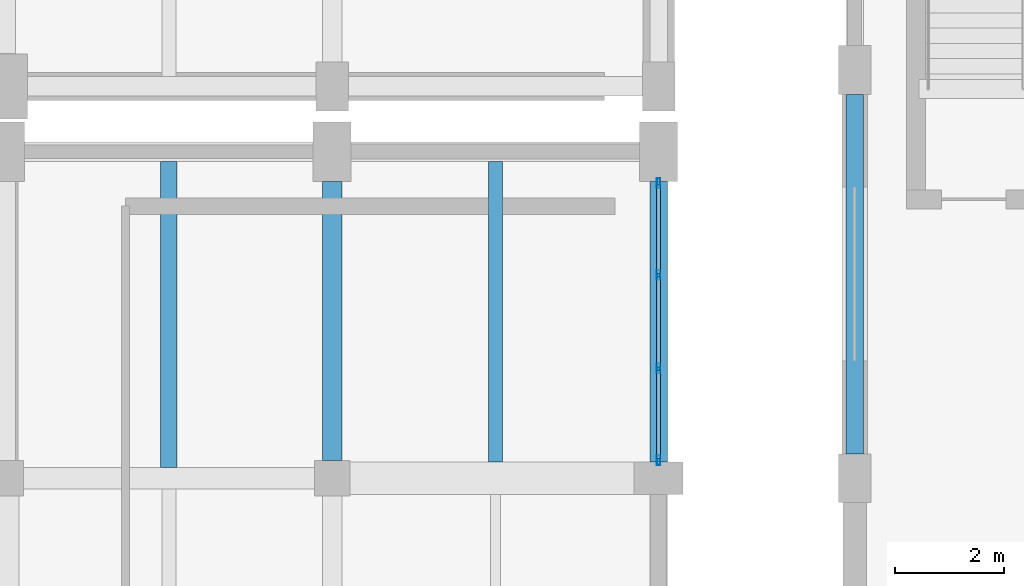
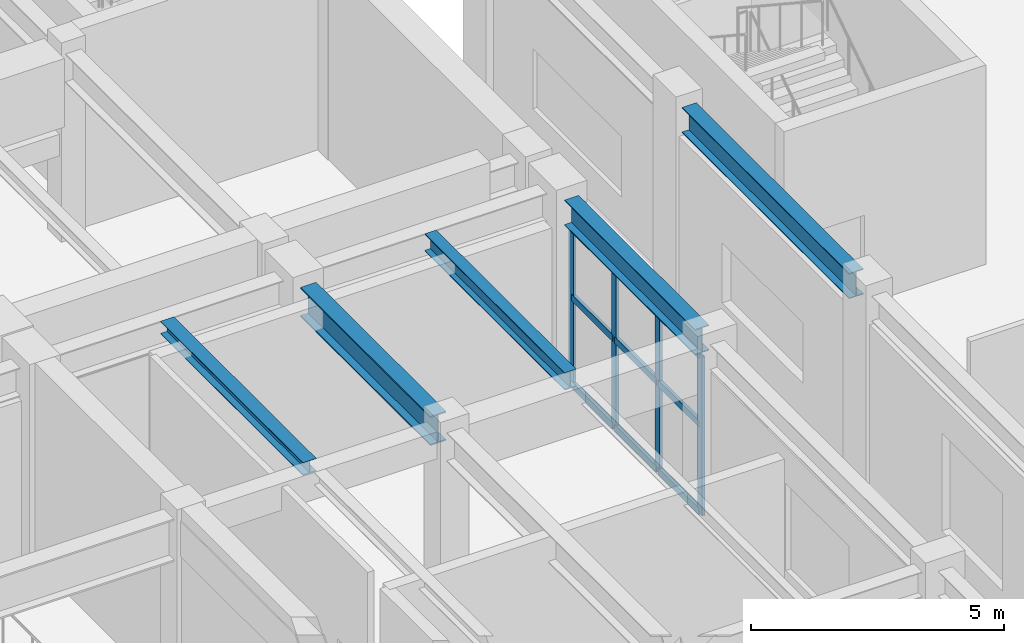
# One storey, part 42 of 80: 13 members, 5 beams, 1 element without a shape of its own.
"""IFC4 building model written with IfcOpenShell, lengths in metres."""

from ifc_helpers import new_model, si_unit, direction, frame, origin, origin_2d, place, context, subcontext, project, spatial, hollow_rectangle, i_section, extrude, material, layer, layer_set, material_profile, profile_set, type_object, element, aggregate, save


model = new_model("IFC4")

# Units and contexts
model_context = context("Model", 3, precision=1e-05, world=origin(), true_north=direction((0.0, 1.0)))
body_context = subcontext(model_context, "Body", "Model", "MODEL_VIEW")
ifc_project = project(units=[si_unit("LENGTHUNIT", "METRE"), si_unit("AREAUNIT", "SQUARE_METRE"), si_unit("VOLUMEUNIT", "CUBIC_METRE"), si_unit("PLANEANGLEUNIT", "RADIAN"), si_unit("MASSUNIT", "GRAM", prefix="KILO")], contexts=[model_context])

# Site, building, storey
site_placement = place(None, origin())
site = spatial("IfcSite", under=ifc_project, at=site_placement, CompositionType="ELEMENT")
building_placement = place(site_placement, origin())
building = spatial("IfcBuilding", under=site, at=building_placement, Name="Vaelkrest Opera House", CompositionType="ELEMENT")
storey_placement = place(building_placement, frame((0.0, 0.0, 15.0)))
storey = spatial("IfcBuildingStorey", under=building, at=storey_placement, Name="L03", CompositionType="ELEMENT", Elevation=15.0)

# Beam
ifc_material_1 = material(Name="Steel A992 Gr50", Category="steel")
ifc_material_profile_1 = material_profile(ifc_material_1, i_section(OverallWidth=0.35791015625, OverallDepth=0.7060546875, WebThickness=0.018310546875, FlangeThickness=0.0302734375, at=origin_2d()), Name="W27X178")
ifc_profile_set_1 = profile_set([ifc_material_profile_1], Name="Steel A992 Gr50")
beam_type_1 = type_object("IfcBeamType", Name="B14", PredefinedType="BEAM", material=ifc_profile_set_1)
beam_1_placement = place(storey_placement, frame((24.0, 10.52490234375, 4.152099609375), z_axis=(0.0, 1.0, 0.0), x_axis=(-1.0, 0.0, 0.0)))
element("IfcBeam", 1, at=beam_1_placement, inside=storey, type_object=beam_type_1, Name="Beam BM-V1-L03-0506", PredefinedType="BEAM", context=body_context, shape_type="SweptSolid", body=[
    extrude(i_section(OverallWidth=0.35791015625, OverallDepth=0.7060546875, WebThickness=0.018310546875, FlangeThickness=0.0302734375, at=origin_2d()), origin(), (0.0, 0.0, 1.0), 5.125),
])

# Curtain wall, members
ifc_material_2 = material(Name="Dark bronze anodized aluminium", Category="aluminium")
ifc_layer = layer(ifc_material_2, 0.219970703125)
ifc_layer_set = layer_set([ifc_layer], Name="Dark bronze anodized aluminium")
curtain_wall_type = type_object("IfcCurtainWallType", Name="CW05", PredefinedType="NOTDEFINED", material=ifc_layer_set)
curtain_wall_placement = place(storey_placement, origin())
curtain_wall = element("IfcCurtainWall", 2, at=curtain_wall_placement, inside=storey, type_object=curtain_wall_type, Name="Curtain wall CW-L03-051", PredefinedType="NOTDEFINED")
ifc_material_profile_2 = material_profile(ifc_material_2, hollow_rectangle(XDim=0.06494140625, YDim=0.179931640625, WallThickness=0.00390625, at=origin_2d()), Name="CWM65X180")
ifc_profile_set_2 = profile_set([ifc_material_profile_2], Name="Dark bronze anodized aluminium")
member_type_1 = type_object("IfcMemberType", Name="CWM01", PredefinedType="MULLION", material=ifc_profile_set_2)
member_1_placement = place(storey_placement, frame((30.0, 15.619384765625, 0.0), z_axis=(0.0, 0.0, 1.0), x_axis=(1.0, 0.0, 0.0)))
member_1 = element("IfcMember", 3, at=member_1_placement, type_object=member_type_1, Name="CW05 mullion 1", PredefinedType="MULLION", context=body_context, shape_type="SweptSolid", body=[
    extrude(hollow_rectangle(XDim=0.06494140625, YDim=0.179931640625, WallThickness=0.00390625, at=origin_2d()), origin(), (0.0, 0.0, 1.0), 3.8291015625),
])
member_2_placement = place(storey_placement, frame((30.0, 13.93408203125, 0.0), z_axis=(0.0, 0.0, 1.0), x_axis=(1.0, 0.0, 0.0)))
member_2 = element("IfcMember", 4, at=member_2_placement, type_object=member_type_1, Name="CW05 mullion 2", PredefinedType="MULLION", context=body_context, shape_type="SweptSolid", body=[
    extrude(hollow_rectangle(XDim=0.06494140625, YDim=0.179931640625, WallThickness=0.00390625, at=origin_2d()), origin(), (0.0, 0.0, 1.0), 3.8291015625),
])
member_3_placement = place(storey_placement, frame((30.0, 12.216064453125, 0.0), z_axis=(0.0, 0.0, 1.0), x_axis=(1.0, 0.0, 0.0)))
member_3 = element("IfcMember", 5, at=member_3_placement, type_object=member_type_1, Name="CW05 mullion 3", PredefinedType="MULLION", context=body_context, shape_type="SweptSolid", body=[
    extrude(hollow_rectangle(XDim=0.06494140625, YDim=0.179931640625, WallThickness=0.00390625, at=origin_2d()), origin(), (0.0, 0.0, 1.0), 3.8291015625),
])
member_4_placement = place(storey_placement, frame((30.0, 10.530517578125, 0.0), z_axis=(0.0, 0.0, 1.0), x_axis=(1.0, 0.0, 0.0)))
member_4 = element("IfcMember", 6, at=member_4_placement, type_object=member_type_1, Name="CW05 mullion 4", PredefinedType="MULLION", context=body_context, shape_type="SweptSolid", body=[
    extrude(hollow_rectangle(XDim=0.06494140625, YDim=0.179931640625, WallThickness=0.00390625, at=origin_2d()), origin(), (0.0, 0.0, 1.0), 3.8291015625),
])
ifc_material_profile_3 = material_profile(ifc_material_2, hollow_rectangle(XDim=0.074951171875, YDim=0.159912109375, WallThickness=0.00439453125, at=origin_2d()), Name="CWT75X160")
ifc_profile_set_3 = profile_set([ifc_material_profile_3], Name="Dark bronze anodized aluminium")
member_type_2 = type_object("IfcMemberType", Name="CWT03", PredefinedType="USERDEFINED", material=ifc_profile_set_3)
member_5_placement = place(storey_placement, frame((30.0, 15.5869140625, 0.03759765625), z_axis=(0.0, -1.0, 0.0), x_axis=(1.0, 0.0, 0.0)))
member_5 = element("IfcMember", 7, at=member_5_placement, type_object=member_type_2, Name="CW05 transom 1.1", ObjectType="TRANSOM", PredefinedType="USERDEFINED", context=body_context, shape_type="SweptSolid", body=[
    extrude(hollow_rectangle(XDim=0.074951171875, YDim=0.159912109375, WallThickness=0.00439453125, at=origin_2d()), origin(), (0.0, 0.0, 1.0), 1.620361328125),
])
member_6_placement = place(storey_placement, frame((30.0, 15.5869140625, 2.14990234375), z_axis=(0.0, -1.0, 0.0), x_axis=(1.0, 0.0, 0.0)))
member_6 = element("IfcMember", 8, at=member_6_placement, type_object=member_type_2, Name="CW05 transom 1.2", ObjectType="TRANSOM", PredefinedType="USERDEFINED", context=body_context, shape_type="SweptSolid", body=[
    extrude(hollow_rectangle(XDim=0.074951171875, YDim=0.159912109375, WallThickness=0.00439453125, at=origin_2d()), origin(), (0.0, 0.0, 1.0), 1.620361328125),
])
member_7_placement = place(storey_placement, frame((30.0, 15.5869140625, 3.79150390625), z_axis=(0.0, -1.0, 0.0), x_axis=(1.0, 0.0, 0.0)))
member_7 = element("IfcMember", 9, at=member_7_placement, type_object=member_type_2, Name="CW05 transom 1.3", ObjectType="TRANSOM", PredefinedType="USERDEFINED", context=body_context, shape_type="SweptSolid", body=[
    extrude(hollow_rectangle(XDim=0.074951171875, YDim=0.159912109375, WallThickness=0.00439453125, at=origin_2d()), origin(), (0.0, 0.0, 1.0), 1.620361328125),
])
member_8_placement = place(storey_placement, frame((30.0, 13.901611328125, 0.03759765625), z_axis=(0.0, -1.0, 0.0), x_axis=(1.0, 0.0, 0.0)))
member_8 = element("IfcMember", 10, at=member_8_placement, type_object=member_type_2, Name="CW05 transom 2.1", ObjectType="TRANSOM", PredefinedType="USERDEFINED", context=body_context, shape_type="SweptSolid", body=[
    extrude(hollow_rectangle(XDim=0.074951171875, YDim=0.159912109375, WallThickness=0.00439453125, at=origin_2d()), origin(), (0.0, 0.0, 1.0), 1.653076171875),
])
member_9_placement = place(storey_placement, frame((30.0, 13.901611328125, 2.14990234375), z_axis=(0.0, -1.0, 0.0), x_axis=(1.0, 0.0, 0.0)))
member_9 = element("IfcMember", 11, at=member_9_placement, type_object=member_type_2, Name="CW05 transom 2.2", ObjectType="TRANSOM", PredefinedType="USERDEFINED", context=body_context, shape_type="SweptSolid", body=[
    extrude(hollow_rectangle(XDim=0.074951171875, YDim=0.159912109375, WallThickness=0.00439453125, at=origin_2d()), origin(), (0.0, 0.0, 1.0), 1.653076171875),
])
member_10_placement = place(storey_placement, frame((30.0, 13.901611328125, 3.79150390625), z_axis=(0.0, -1.0, 0.0), x_axis=(1.0, 0.0, 0.0)))
member_10 = element("IfcMember", 12, at=member_10_placement, type_object=member_type_2, Name="CW05 transom 2.3", ObjectType="TRANSOM", PredefinedType="USERDEFINED", context=body_context, shape_type="SweptSolid", body=[
    extrude(hollow_rectangle(XDim=0.074951171875, YDim=0.159912109375, WallThickness=0.00439453125, at=origin_2d()), origin(), (0.0, 0.0, 1.0), 1.653076171875),
])
member_11_placement = place(storey_placement, frame((30.0, 12.18359375, 0.03759765625), z_axis=(0.0, -1.0, 0.0), x_axis=(1.0, 0.0, 0.0)))
member_11 = element("IfcMember", 13, at=member_11_placement, type_object=member_type_2, Name="CW05 transom 3.1", ObjectType="TRANSOM", PredefinedType="USERDEFINED", context=body_context, shape_type="SweptSolid", body=[
    extrude(hollow_rectangle(XDim=0.074951171875, YDim=0.159912109375, WallThickness=0.00439453125, at=origin_2d()), origin(), (0.0, 0.0, 1.0), 1.62060546875),
])
member_12_placement = place(storey_placement, frame((30.0, 12.18359375, 2.14990234375), z_axis=(0.0, -1.0, 0.0), x_axis=(1.0, 0.0, 0.0)))
member_12 = element("IfcMember", 14, at=member_12_placement, type_object=member_type_2, Name="CW05 transom 3.2", ObjectType="TRANSOM", PredefinedType="USERDEFINED", context=body_context, shape_type="SweptSolid", body=[
    extrude(hollow_rectangle(XDim=0.074951171875, YDim=0.159912109375, WallThickness=0.00439453125, at=origin_2d()), origin(), (0.0, 0.0, 1.0), 1.62060546875),
])
member_13_placement = place(storey_placement, frame((30.0, 12.18359375, 3.79150390625), z_axis=(0.0, -1.0, 0.0), x_axis=(1.0, 0.0, 0.0)))
member_13 = element("IfcMember", 15, at=member_13_placement, type_object=member_type_2, Name="CW05 transom 3.3", ObjectType="TRANSOM", PredefinedType="USERDEFINED", context=body_context, shape_type="SweptSolid", body=[
    extrude(hollow_rectangle(XDim=0.074951171875, YDim=0.159912109375, WallThickness=0.00439453125, at=origin_2d()), origin(), (0.0, 0.0, 1.0), 1.62060546875),
])
aggregate(curtain_wall, [member_1, member_2, member_3, member_4, member_5, member_6, member_7, member_8, member_9, member_10, member_11, member_12, member_13])

# Beams
ifc_material_profile_4 = material_profile(ifc_material_1, i_section(OverallWidth=0.304931640625, OverallDepth=0.30810546875, WebThickness=0.010009765625, FlangeThickness=0.015380859375, at=origin_2d()), Name="W12X65")
ifc_profile_set_4 = profile_set([ifc_material_profile_4], Name="Steel A992 Gr50")
beam_type_2 = type_object("IfcBeamType", Name="J04", PredefinedType="JOIST", material=ifc_profile_set_4)
beam_2_placement = place(storey_placement, frame((21.0, 10.39990234375, 4.35107421875), z_axis=(0.0, 1.0, 0.0), x_axis=(-1.0, 0.0, 0.0)))
element("IfcBeam", 16, at=beam_2_placement, inside=storey, type_object=beam_type_2, Name="Floor joist JST-V1-L03-0524", PredefinedType="JOIST", context=body_context, shape_type="SweptSolid", body=[
    extrude(i_section(OverallWidth=0.304931640625, OverallDepth=0.30810546875, WebThickness=0.010009765625, FlangeThickness=0.015380859375, at=origin_2d()), origin(), (0.0, 0.0, 1.0), 5.62255859375),
])
ifc_material_profile_5 = material_profile(ifc_material_1, i_section(OverallWidth=0.261962890625, OverallDepth=0.4189453125, WebThickness=0.01171875, FlangeThickness=0.019287109375, at=origin_2d()), Name="W16X77")
ifc_profile_set_5 = profile_set([ifc_material_profile_5], Name="Steel A992 Gr50")
beam_type_3 = type_object("IfcBeamType", Name="J08", PredefinedType="JOIST", material=ifc_profile_set_5)
beam_3_placement = place(storey_placement, frame((27.0, 10.5, 4.29541015625), z_axis=(0.0, 1.0, 0.0), x_axis=(-1.0, 0.0, 0.0)))
element("IfcBeam", 17, at=beam_3_placement, inside=storey, type_object=beam_type_3, Name="Floor joist JST-V1-L03-0528", PredefinedType="JOIST", context=body_context, shape_type="SweptSolid", body=[
    extrude(i_section(OverallWidth=0.261962890625, OverallDepth=0.4189453125, WebThickness=0.01171875, FlangeThickness=0.019287109375, at=origin_2d()), origin(), (0.0, 0.0, 1.0), 5.5224609375),
])
ifc_material_profile_6 = material_profile(ifc_material_1, i_section(OverallWidth=0.323974609375, OverallDepth=0.611083984375, WebThickness=0.0126953125, FlangeThickness=0.01904296875, at=origin_2d()), Name="W24X104")
ifc_profile_set_6 = profile_set([ifc_material_profile_6], Name="Steel A992 Gr50")
beam_type_4 = type_object("IfcBeamType", Name="SP01", PredefinedType="SPANDREL", material=ifc_profile_set_6)
beam_4_placement = place(storey_placement, frame((30.0, 10.5, 4.199462890625), z_axis=(0.0, 1.0, 0.0), x_axis=(-1.0, 0.0, 0.0)))
element("IfcBeam", 18, at=beam_4_placement, inside=storey, type_object=beam_type_4, Name="Beam BM-V1-L03-0514", PredefinedType="SPANDREL", context=body_context, shape_type="SweptSolid", body=[
    extrude(i_section(OverallWidth=0.323974609375, OverallDepth=0.611083984375, WebThickness=0.0126953125, FlangeThickness=0.01904296875, at=origin_2d()), origin(), (0.0, 0.0, 1.0), 5.14990234375),
])
beam_5_placement = place(storey_placement, frame((33.60009765625, 10.64990234375, 4.199462890625), z_axis=(0.0, 1.0, 0.0), x_axis=(-1.0, 0.0, 0.0)))
element("IfcBeam", 19, at=beam_5_placement, inside=storey, type_object=beam_type_4, Name="Beam BM-V4-L03-2364", PredefinedType="SPANDREL", context=body_context, shape_type="SweptSolid", body=[
    extrude(i_section(OverallWidth=0.323974609375, OverallDepth=0.611083984375, WebThickness=0.0126953125, FlangeThickness=0.01904296875, at=origin_2d()), origin(), (0.0, 0.0, 1.0), 6.60009765625),
])

save(model, "model.ifc")
